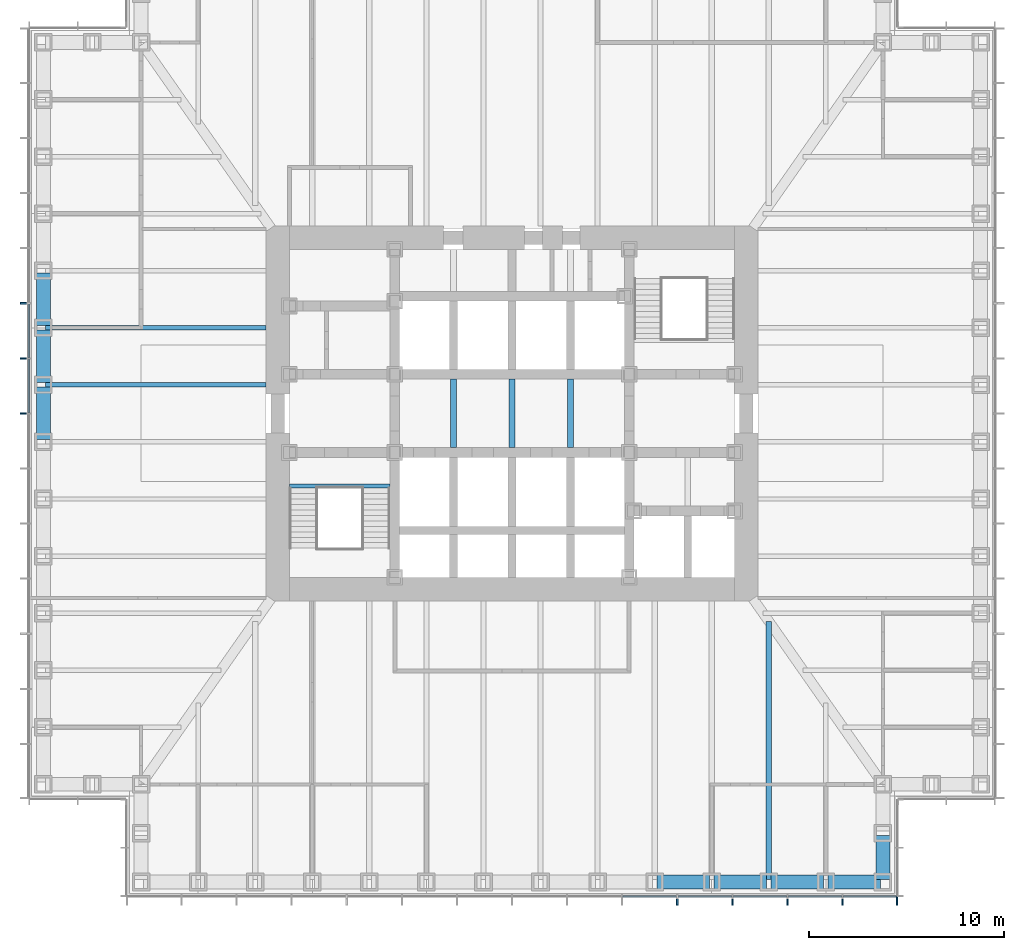
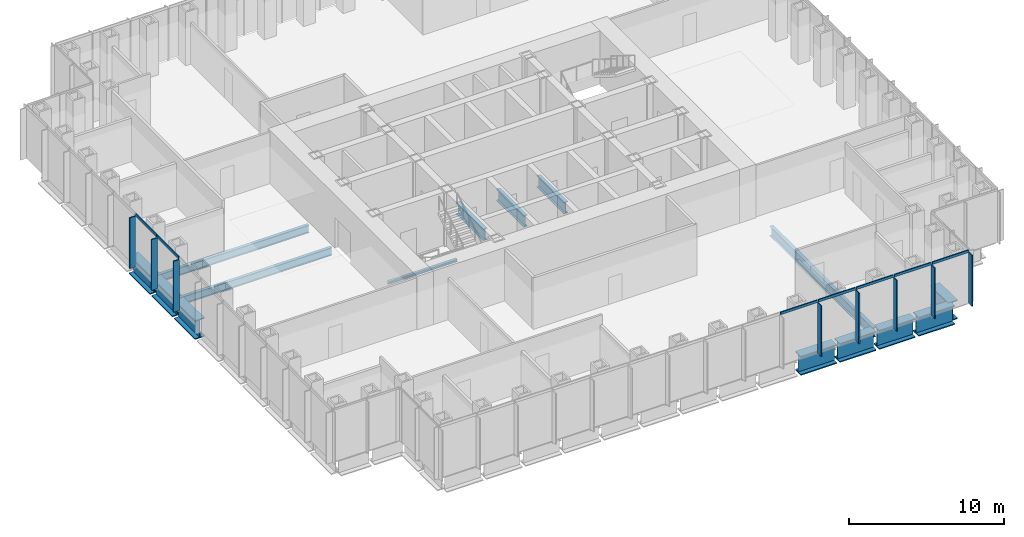
# One storey, part 3 of 17: 15 beams, 15 members, 2 elements without a shape of their own.
"""IFC4 building model written with IfcOpenShell, lengths in metres."""

from ifc_helpers import new_model, si_unit, direction, frame, origin, origin_2d, place, context, subcontext, project, spatial, rectangle, i_section, extrude, material, material_profile, profile_set, type_object, element, aggregate, save


model = new_model("IFC4")

# Units and contexts
model_context = context("Model", 3, precision=1e-05, world=origin(), true_north=direction((0.0, 1.0)))
body_context = subcontext(model_context, "Body", "Model", "MODEL_VIEW")
ifc_project = project(units=[si_unit("LENGTHUNIT", "METRE"), si_unit("AREAUNIT", "SQUARE_METRE"), si_unit("VOLUMEUNIT", "CUBIC_METRE"), si_unit("PLANEANGLEUNIT", "RADIAN"), si_unit("MASSUNIT", "GRAM", prefix="KILO")], contexts=[model_context])

# Site, building, storey
site_placement = place(None, origin())
site = spatial("IfcSite", under=ifc_project, at=site_placement, CompositionType="ELEMENT")
building_placement = place(site_placement, origin())
building = spatial("IfcBuilding", under=site, at=building_placement, Name="Daluyong Arena Tower", CompositionType="ELEMENT")
storey_placement = place(building_placement, frame((0.0, 0.0, 85.300048828125)))
storey = spatial("IfcBuildingStorey", under=building, at=storey_placement, Name="L18", CompositionType="ELEMENT", Elevation=85.300048828125)

# Curtain wall, members
ifc_material_1 = material(Name="Bronze anodised aluminium and glass", Category="aluminium")
curtain_wall_type = type_object("IfcCurtainWallType", Name="Curtain wall CW1", PredefinedType="USERDEFINED", material=ifc_material_1)
curtain_wall_1_placement = place(storey_placement, origin())
curtain_wall_1 = element("IfcCurtainWall", 1, at=curtain_wall_1_placement, inside=storey, type_object=curtain_wall_type, Name="curtain wall L18 S", ObjectType="UNITISED CURTAIN WALL", PredefinedType="USERDEFINED")
ifc_material_2 = material(Name="Bronze anodised aluminium fin", Category="aluminium")
ifc_material_profile_1 = material_profile(ifc_material_2, rectangle(XDim=0.449951171875, YDim=0.080078125, at=origin_2d()))
ifc_profile_set_1 = profile_set([ifc_material_profile_1], Name="Bronze anodised aluminium fin")
member_type_1 = type_object("IfcMemberType", Name="CW1 bronze fin 450x80", PredefinedType="MULLION", material=ifc_profile_set_1)
member_1_placement = place(storey_placement, frame((64.46435546875, 55.02490234375, 0.0), z_axis=(0.0, 0.0, 1.0), x_axis=(0.0, 1.0, 0.0)))
member_1 = element("IfcMember", 2, at=member_1_placement, type_object=member_type_1, Name="curtain wall L18 S fin 11", PredefinedType="MULLION", context=body_context, shape_type="SweptSolid", body=[
    extrude(rectangle(XDim=0.449951171875, YDim=0.080078125, at=origin_2d()), origin(), (0.0, 0.0, 1.0), 4.0),
])
member_2_placement = place(storey_placement, frame((67.28564453125, 55.02490234375, 0.0), z_axis=(0.0, 0.0, 1.0), x_axis=(0.0, 1.0, 0.0)))
member_2 = element("IfcMember", 3, at=member_2_placement, type_object=member_type_1, Name="curtain wall L18 S fin 12", PredefinedType="MULLION", context=body_context, shape_type="SweptSolid", body=[
    extrude(rectangle(XDim=0.449951171875, YDim=0.080078125, at=origin_2d()), origin(), (0.0, 0.0, 1.0), 4.0),
])
member_3_placement = place(storey_placement, frame((70.107177734375, 55.02490234375, 0.0), z_axis=(0.0, 0.0, 1.0), x_axis=(0.0, 1.0, 0.0)))
member_3 = element("IfcMember", 4, at=member_3_placement, type_object=member_type_1, Name="curtain wall L18 S fin 13", PredefinedType="MULLION", context=body_context, shape_type="SweptSolid", body=[
    extrude(rectangle(XDim=0.449951171875, YDim=0.080078125, at=origin_2d()), origin(), (0.0, 0.0, 1.0), 4.0),
])
member_4_placement = place(storey_placement, frame((72.928466796875, 55.02490234375, 0.0), z_axis=(0.0, 0.0, 1.0), x_axis=(0.0, 1.0, 0.0)))
member_4 = element("IfcMember", 5, at=member_4_placement, type_object=member_type_1, Name="curtain wall L18 S fin 14", PredefinedType="MULLION", context=body_context, shape_type="SweptSolid", body=[
    extrude(rectangle(XDim=0.449951171875, YDim=0.080078125, at=origin_2d()), origin(), (0.0, 0.0, 1.0), 4.0),
])
member_5_placement = place(storey_placement, frame((75.7099609375, 55.02490234375, 0.0), z_axis=(0.0, 0.0, 1.0), x_axis=(0.0, 1.0, 0.0)))
member_5 = element("IfcMember", 6, at=member_5_placement, type_object=member_type_1, Name="curtain wall L18 S fin 15", PredefinedType="MULLION", context=body_context, shape_type="SweptSolid", body=[
    extrude(rectangle(XDim=0.449951171875, YDim=0.080078125, at=origin_2d()), origin(), (0.0, 0.0, 1.0), 4.0),
])

curtain_wall_2_placement = place(storey_placement, origin())
curtain_wall_2 = element("IfcCurtainWall", 7, at=curtain_wall_2_placement, inside=storey, type_object=curtain_wall_type, Name="curtain wall L18 W", ObjectType="UNITISED CURTAIN WALL", PredefinedType="USERDEFINED")
member_6_placement = place(storey_placement, frame((31.02490234375, 85.642822265625, 0.0), z_axis=(0.0, 0.0, 1.0), x_axis=(1.0, 0.0, 0.0)))
member_6 = element("IfcMember", 8, at=member_6_placement, type_object=member_type_1, Name="curtain wall L18 W fin 6", PredefinedType="MULLION", context=body_context, shape_type="SweptSolid", body=[
    extrude(rectangle(XDim=0.449951171875, YDim=0.080078125, at=origin_2d()), origin(), (0.0, 0.0, 1.0), 4.0),
])
member_7_placement = place(storey_placement, frame((31.02490234375, 82.821533203125, 0.0), z_axis=(0.0, 0.0, 1.0), x_axis=(1.0, 0.0, 0.0)))
member_7 = element("IfcMember", 9, at=member_7_placement, type_object=member_type_1, Name="curtain wall L18 W fin 7", PredefinedType="MULLION", context=body_context, shape_type="SweptSolid", body=[
    extrude(rectangle(XDim=0.449951171875, YDim=0.080078125, at=origin_2d()), origin(), (0.0, 0.0, 1.0), 4.0),
])
member_8_placement = place(storey_placement, frame((31.02490234375, 80.0, 0.0), z_axis=(0.0, 0.0, 1.0), x_axis=(1.0, 0.0, 0.0)))
member_8 = element("IfcMember", 10, at=member_8_placement, type_object=member_type_1, Name="curtain wall L18 W fin 8", PredefinedType="MULLION", context=body_context, shape_type="SweptSolid", body=[
    extrude(rectangle(XDim=0.449951171875, YDim=0.080078125, at=origin_2d()), origin(), (0.0, 0.0, 1.0), 4.0),
])

# Member
ifc_material_3 = material(Name="Bronze anodised aluminium", Category="aluminium")
ifc_material_profile_2 = material_profile(ifc_material_3, rectangle(XDim=0.080078125, YDim=0.199951171875, at=origin_2d()))
ifc_profile_set_2 = profile_set([ifc_material_profile_2], Name="Bronze anodised aluminium")
member_type_2 = type_object("IfcMemberType", Name="CW1 stack transom 200x80", PredefinedType="USERDEFINED", material=ifc_profile_set_2)
member_9_placement = place(storey_placement, frame((61.682861328125, 55.25, 4.099853515625), z_axis=(1.0, 0.0, 0.0), x_axis=(0.0, 1.0, 0.0)))
member_9 = element("IfcMember", 11, at=member_9_placement, type_object=member_type_2, Name="curtain wall L18 S transom 10", ObjectType="TRANSOM", PredefinedType="USERDEFINED", context=body_context, shape_type="SweptSolid", body=[
    extrude(rectangle(XDim=0.080078125, YDim=0.199951171875, at=origin_2d()), origin(), (0.0, 0.0, 1.0), 2.741455078125),
])

member_10_placement = place(storey_placement, frame((64.50439453125, 55.25, 4.099853515625), z_axis=(1.0, 0.0, 0.0), x_axis=(0.0, 1.0, 0.0)))
member_10 = element("IfcMember", 12, at=member_10_placement, type_object=member_type_2, Name="curtain wall L18 S transom 11", ObjectType="TRANSOM", PredefinedType="USERDEFINED", context=body_context, shape_type="SweptSolid", body=[
    extrude(rectangle(XDim=0.080078125, YDim=0.199951171875, at=origin_2d()), origin(), (0.0, 0.0, 1.0), 2.7412109375),
])

member_11_placement = place(storey_placement, frame((67.32568359375, 55.25, 4.099853515625), z_axis=(1.0, 0.0, 0.0), x_axis=(0.0, 1.0, 0.0)))
member_11 = element("IfcMember", 13, at=member_11_placement, type_object=member_type_2, Name="curtain wall L18 S transom 12", ObjectType="TRANSOM", PredefinedType="USERDEFINED", context=body_context, shape_type="SweptSolid", body=[
    extrude(rectangle(XDim=0.080078125, YDim=0.199951171875, at=origin_2d()), origin(), (0.0, 0.0, 1.0), 2.741455078125),
])

member_12_placement = place(storey_placement, frame((70.147216796875, 55.25, 4.099853515625), z_axis=(1.0, 0.0, 0.0), x_axis=(0.0, 1.0, 0.0)))
member_12 = element("IfcMember", 14, at=member_12_placement, type_object=member_type_2, Name="curtain wall L18 S transom 13", ObjectType="TRANSOM", PredefinedType="USERDEFINED", context=body_context, shape_type="SweptSolid", body=[
    extrude(rectangle(XDim=0.080078125, YDim=0.199951171875, at=origin_2d()), origin(), (0.0, 0.0, 1.0), 2.741455078125),
])

member_13_placement = place(storey_placement, frame((72.968505859375, 55.25, 4.099853515625), z_axis=(1.0, 0.0, 0.0), x_axis=(0.0, 1.0, 0.0)))
member_13 = element("IfcMember", 15, at=member_13_placement, type_object=member_type_2, Name="curtain wall L18 S transom 14", ObjectType="TRANSOM", PredefinedType="USERDEFINED", context=body_context, shape_type="SweptSolid", body=[
    extrude(rectangle(XDim=0.080078125, YDim=0.199951171875, at=origin_2d()), origin(), (0.0, 0.0, 1.0), 2.701416015625),
])

aggregate(curtain_wall_1, [member_1, member_2, member_3, member_4, member_5, member_9, member_10, member_11, member_12, member_13])

member_14_placement = place(storey_placement, frame((31.25, 85.602783203125, 4.099853515625), z_axis=(0.0, -1.0, 0.0), x_axis=(1.0, 0.0, 0.0)))
member_14 = element("IfcMember", 16, at=member_14_placement, type_object=member_type_2, Name="curtain wall L18 W transom 6", ObjectType="TRANSOM", PredefinedType="USERDEFINED", context=body_context, shape_type="SweptSolid", body=[
    extrude(rectangle(XDim=0.080078125, YDim=0.199951171875, at=origin_2d()), origin(), (0.0, 0.0, 1.0), 2.741455078125),
])

member_15_placement = place(storey_placement, frame((31.25, 82.781494140625, 4.099853515625), z_axis=(0.0, -1.0, 0.0), x_axis=(1.0, 0.0, 0.0)))
member_15 = element("IfcMember", 17, at=member_15_placement, type_object=member_type_2, Name="curtain wall L18 W transom 7", ObjectType="TRANSOM", PredefinedType="USERDEFINED", context=body_context, shape_type="SweptSolid", body=[
    extrude(rectangle(XDim=0.080078125, YDim=0.199951171875, at=origin_2d()), origin(), (0.0, 0.0, 1.0), 2.741455078125),
])

aggregate(curtain_wall_2, [member_6, member_7, member_8, member_14, member_15])

# Beams
ifc_material_4 = material(Name="Steel ASTM A992 Grade 50", Category="steel")
ifc_material_profile_3 = material_profile(ifc_material_4, i_section(OverallWidth=0.22900390625, OverallDepth=0.612060546875, WebThickness=0.011962890625, FlangeThickness=0.01953125, at=origin_2d()))
ifc_profile_set_3 = profile_set([ifc_material_profile_3], Name="Steel ASTM A992 Grade 50")
beam_type_1 = type_object("IfcBeamType", Name="Floor beam W24X84", PredefinedType="BEAM", material=ifc_profile_set_3)
for number, where, z_axis, x_axis, name in (
    (18, (32.114990234375, 84.384521484375, -0.466064453125), (1.0, 0.0, 0.0), (0.0, 1.0, 0.0), "floor beam FB3"),
    (19, (32.114990234375, 81.46142578125, -0.466064453125), (1.0, 0.0, 0.0), (0.0, 1.0, 0.0), "floor beam FB3"),
):
    element("IfcBeam", number, at=place(storey_placement, frame(where, z_axis=z_axis, x_axis=x_axis)), inside=storey, type_object=beam_type_1, Name=name, PredefinedType="BEAM", context=body_context, shape_type="SweptSolid", body=[
        extrude(i_section(OverallWidth=0.22900390625, OverallDepth=0.612060546875, WebThickness=0.011962890625, FlangeThickness=0.01953125, at=origin_2d()), origin(), (0.0, 0.0, 1.0), 11.284912109375),
    ])
ifc_material_5 = material(Name="Steel ASTM A992 Grade 50", Category="steel")
ifc_material_profile_4 = material_profile(ifc_material_5, i_section(OverallWidth=0.2666015625, OverallDepth=0.761962890625, WebThickness=0.014404296875, FlangeThickness=0.021484375, at=origin_2d()))
ifc_profile_set_4 = profile_set([ifc_material_profile_4], Name="Steel ASTM A992 Grade 50")
beam_type_2 = type_object("IfcBeamType", Name="Floor beam W30X116", PredefinedType="BEAM", material=ifc_profile_set_4)
beam_1_placement = place(storey_placement, frame((69.15380859375, 56.114990234375, -0.541015625), z_axis=(0.0, 1.0, 0.0), x_axis=(-1.0, 0.0, 0.0)))
element("IfcBeam", 20, at=beam_1_placement, inside=storey, type_object=beam_type_2, Name="floor beam FB4", PredefinedType="BEAM", context=body_context, shape_type="SweptSolid", body=[
    extrude(i_section(OverallWidth=0.2666015625, OverallDepth=0.761962890625, WebThickness=0.014404296875, FlangeThickness=0.021484375, at=origin_2d()), origin(), (0.0, 0.0, 1.0), 13.236572265625),
])
ifc_material_6 = material(Name="Steel ASTM A572 Grade 50", Category="steel")
ifc_material_profile_5 = material_profile(ifc_material_6, i_section(OverallWidth=0.300048828125, OverallDepth=0.89990234375, WebThickness=0.025, FlangeThickness=0.04, at=origin_2d()))
ifc_profile_set_5 = profile_set([ifc_material_profile_5], Name="Steel ASTM A572 Grade 50")
beam_type_3 = type_object("IfcBeamType", Name="Lift divider beam PG900X300", PredefinedType="BEAM", material=ifc_profile_set_5)
for number, where, z_axis, x_axis, name in (
    (21, (53.0, 78.25, -0.610107421875), (0.0, 1.0, 0.0), (-1.0, 0.0, 0.0), "lift divider beam DB1"),
    (22, (56.0, 78.25, -0.610107421875), (0.0, 1.0, 0.0), (-1.0, 0.0, 0.0), "lift divider beam DB1"),
    (23, (59.0, 78.25, -0.610107421875), (0.0, 1.0, 0.0), (-1.0, 0.0, 0.0), "lift divider beam DB1"),
):
    element("IfcBeam", number, at=place(storey_placement, frame(where, z_axis=z_axis, x_axis=x_axis)), inside=storey, type_object=beam_type_3, Name=name, PredefinedType="BEAM", context=body_context, shape_type="SweptSolid", body=[
        extrude(i_section(OverallWidth=0.300048828125, OverallDepth=0.89990234375, WebThickness=0.025, FlangeThickness=0.04, at=origin_2d()), origin(), (0.0, 0.0, 1.0), 3.5),
    ])
ifc_material_7 = material(Name="Steel ASTM A572 Grade 50", Category="steel")
ifc_material_profile_6 = material_profile(ifc_material_7, i_section(OverallWidth=0.699951171875, OverallDepth=1.5, WebThickness=0.04, FlangeThickness=0.08, at=origin_2d()))
ifc_profile_set_6 = profile_set([ifc_material_profile_6], Name="Steel ASTM A572 Grade 50")
beam_type_4 = type_object("IfcBeamType", Name="Spandrel Z1 PG1500X700", PredefinedType="SPANDREL", material=ifc_profile_set_6)
for number, where, z_axis, x_axis, name in (
    (24, (63.422607421875, 56.0, -0.91015625), (1.0, 0.0, 0.0), (0.0, 1.0, 0.0), "spandrel z1 SB4"),
    (25, (66.345703125, 56.0, -0.91015625), (1.0, 0.0, 0.0), (0.0, 1.0, 0.0), "spandrel z1 SB4"),
    (26, (69.268798828125, 56.0, -0.91015625), (1.0, 0.0, 0.0), (0.0, 1.0, 0.0), "spandrel z1 SB4"),
    (27, (72.19189453125, 56.0, -0.91015625), (1.0, 0.0, 0.0), (0.0, 1.0, 0.0), "spandrel z1 SB4"),
):
    element("IfcBeam", number, at=place(storey_placement, frame(where, z_axis=z_axis, x_axis=x_axis)), inside=storey, type_object=beam_type_4, Name=name, PredefinedType="SPANDREL", context=body_context, shape_type="SweptSolid", body=[
        extrude(i_section(OverallWidth=0.699951171875, OverallDepth=1.5, WebThickness=0.04, FlangeThickness=0.08, at=origin_2d()), origin(), (0.0, 0.0, 1.0), 2.693115234375),
    ])
beam_2_placement = place(storey_placement, frame((75.0, 56.114990234375, -0.91015625), z_axis=(0.0, 1.0, 0.0), x_axis=(-1.0, 0.0, 0.0)))
element("IfcBeam", 28, at=beam_2_placement, inside=storey, type_object=beam_type_4, Name="spandrel z1 SB4", PredefinedType="SPANDREL", context=body_context, shape_type="SweptSolid", body=[
    extrude(i_section(OverallWidth=0.699951171875, OverallDepth=1.5, WebThickness=0.04, FlangeThickness=0.08, at=origin_2d()), origin(), (0.0, 0.0, 1.0), 2.27001953125),
])
for number, where, z_axis, x_axis, name in (
    (29, (32.0, 87.192626953125, -0.91015625), (0.0, -1.0, 0.0), (1.0, 0.0, 0.0), "spandrel z1 SB4"),
    (30, (32.0, 84.26953125, -0.91015625), (0.0, -1.0, 0.0), (1.0, 0.0, 0.0), "spandrel z1 SB4"),
):
    element("IfcBeam", number, at=place(storey_placement, frame(where, z_axis=z_axis, x_axis=x_axis)), inside=storey, type_object=beam_type_4, Name=name, PredefinedType="SPANDREL", context=body_context, shape_type="SweptSolid", body=[
        extrude(i_section(OverallWidth=0.699951171875, OverallDepth=1.5, WebThickness=0.04, FlangeThickness=0.08, at=origin_2d()), origin(), (0.0, 0.0, 1.0), 2.693115234375),
    ])
beam_3_placement = place(storey_placement, frame((32.0, 81.346435546875, -0.91015625), z_axis=(0.0, -1.0, 0.0), x_axis=(1.0, 0.0, 0.0)))
element("IfcBeam", 31, at=beam_3_placement, inside=storey, type_object=beam_type_4, Name="spandrel z1 SB4", PredefinedType="SPANDREL", context=body_context, shape_type="SweptSolid", body=[
    extrude(i_section(OverallWidth=0.699951171875, OverallDepth=1.5, WebThickness=0.04, FlangeThickness=0.08, at=origin_2d()), origin(), (0.0, 0.0, 1.0), 2.69287109375),
])
ifc_material_8 = material(Name="Steel ASTM A992 Grade 50", Category="steel")
ifc_material_profile_7 = material_profile(ifc_material_8, i_section(OverallWidth=0.203125, OverallDepth=0.203125, WebThickness=0.00732421875, FlangeThickness=0.010986328125, at=origin_2d()))
ifc_profile_set_7 = profile_set([ifc_material_profile_7], Name="Steel ASTM A992 Grade 50")
beam_type_5 = type_object("IfcBeamType", Name="Stair landing beam W8X31", PredefinedType="BEAM", material=ifc_profile_set_7)
beam_4_placement = place(storey_placement, frame((44.60009765625, 76.276611328125, -0.26171875), z_axis=(1.0, 0.0, 0.0), x_axis=(0.0, 1.0, 0.0)))
element("IfcBeam", 32, at=beam_4_placement, inside=storey, type_object=beam_type_5, Name="exit stair A landing beam", PredefinedType="BEAM", context=body_context, shape_type="SweptSolid", body=[
    extrude(i_section(OverallWidth=0.203125, OverallDepth=0.203125, WebThickness=0.00732421875, FlangeThickness=0.010986328125, at=origin_2d()), origin(), (0.0, 0.0, 1.0), 5.14990234375),
])

save(model, "model.ifc")
